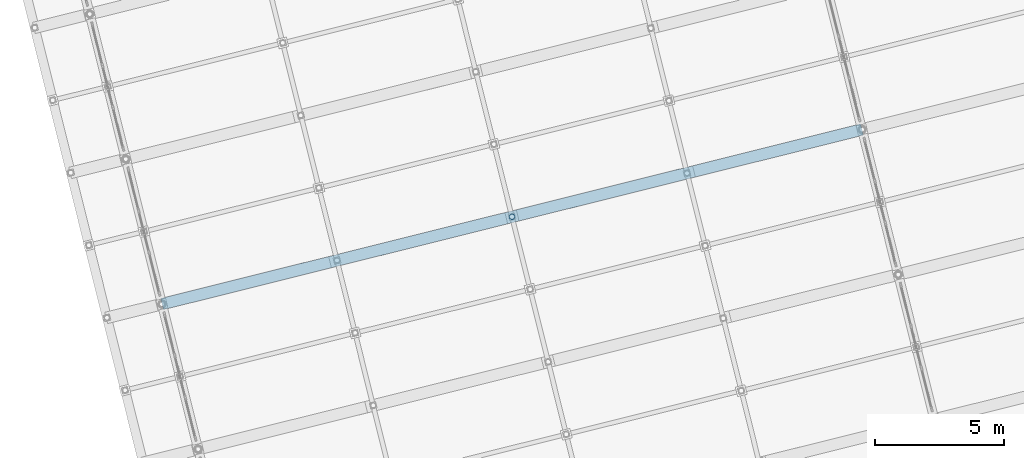
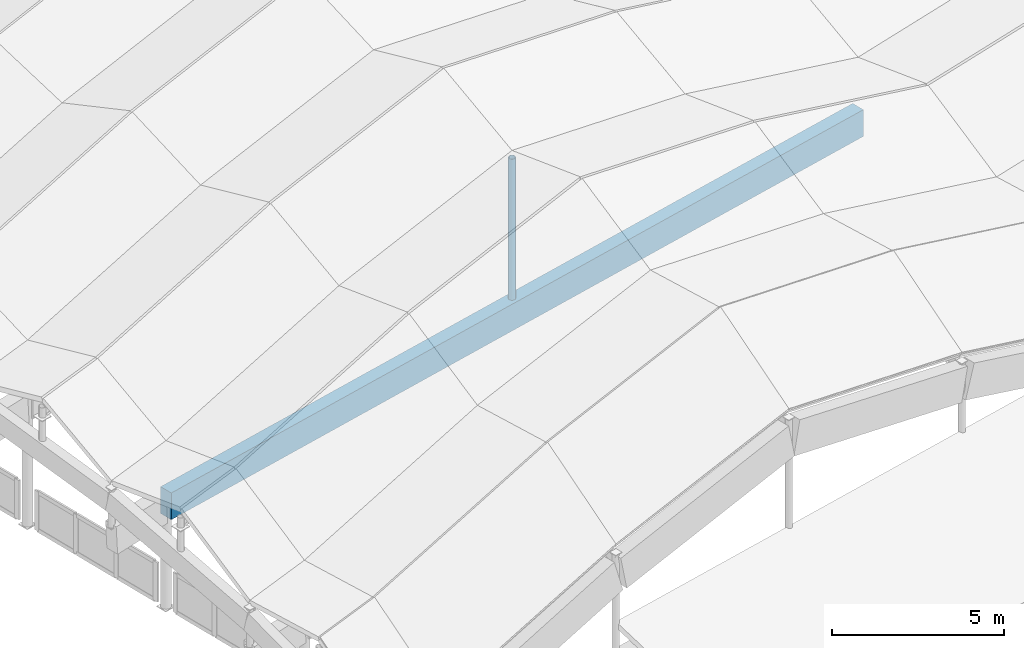
# One storey, part 17 of 65: 1 beam, 1 member.
"""IFC4 building model written with IfcOpenShell, lengths in metres."""

from ifc_helpers import new_model, si_unit, direction, frame, origin, origin_2d, place, context, subcontext, project, spatial, rectangle, hollow_circle, extrude, material, material_profile, profile_set, type_object, element, save


model = new_model("IFC4")

# Units and contexts
model_context = context("Model", 3, precision=1e-05, world=origin(), true_north=direction((0.0, 1.0)))
body_context = subcontext(model_context, "Body", "Model", "MODEL_VIEW")
ifc_project = project(units=[si_unit("LENGTHUNIT", "METRE"), si_unit("AREAUNIT", "SQUARE_METRE"), si_unit("VOLUMEUNIT", "CUBIC_METRE"), si_unit("PLANEANGLEUNIT", "RADIAN"), si_unit("MASSUNIT", "GRAM", prefix="KILO")], contexts=[model_context])

# Site, building, storey
site_placement = place(None, origin())
site = spatial("IfcSite", under=ifc_project, at=site_placement, CompositionType="ELEMENT")
building_placement = place(site_placement, origin())
building = spatial("IfcBuilding", under=site, at=building_placement, Name="Cinderway Yard Community Centre", CompositionType="ELEMENT")
storey_placement = place(building_placement, frame((0.0, 0.0, 24.300048828125)))
storey = spatial("IfcBuildingStorey", under=building, at=storey_placement, Name="RF", CompositionType="ELEMENT", Elevation=24.300048828125)

# Beam
ifc_material_1 = material(Name="Concrete C40/50", Category="concrete")
ifc_material_profile_1 = material_profile(ifc_material_1, rectangle(XDim=0.449951171875, YDim=0.949951171875, at=origin_2d()), Name="Concrete C40/50")
ifc_profile_set_1 = profile_set([ifc_material_profile_1], Name="Concrete C40/50")
beam_type = type_object("IfcBeamType", Name="STR-BM-RC450X950", PredefinedType="BEAM", material=ifc_profile_set_1)
beam_placement = place(storey_placement, frame((17.0029296875, 36.3720703125, -7.73193359375), z_axis=(0.970294130107, 0.241928297394, 0.0), x_axis=(-0.241928297394, 0.970294130107, 0.0)))
element("IfcBeam", 1, at=beam_placement, inside=storey, type_object=beam_type, Name="Main Hall folded-plate arch tie girder 03", PredefinedType="BEAM", context=body_context, shape_type="SweptSolid", body=[
    extrude(rectangle(XDim=0.449951171875, YDim=0.949951171875, at=origin_2d()), origin(), (0.0, 0.0, 1.0), 27.999755859375),
])

# Member
ifc_material_2 = material(Name="Steel S355", Category="steel")
ifc_material_profile_2 = material_profile(ifc_material_2, hollow_circle(Radius=0.109619140625, WallThickness=0.010009765625, at=origin_2d()), Name="Steel S355")
ifc_profile_set_2 = profile_set([ifc_material_profile_2], Name="Steel S355")
member_type = type_object("IfcMemberType", Name="STR-MEM-STRUT-CHS219", PredefinedType="STRUT", material=ifc_profile_set_2)
member_placement = place(storey_placement, frame((30.5869140625, 39.759033203125, -7.35693359375), z_axis=(0.0, 0.0, 1.0), x_axis=(1.0, 0.0, 0.0)))
element("IfcMember", 2, at=member_placement, inside=storey, type_object=member_type, Name="Arch rib web post 03-14", PredefinedType="STRUT", context=body_context, shape_type="SweptSolid", body=[
    extrude(hollow_circle(Radius=0.109619140625, WallThickness=0.010009765625, at=origin_2d()), origin(), (0.0, 0.0, 1.0), 5.10986328125),
])

save(model, "model.ifc")
